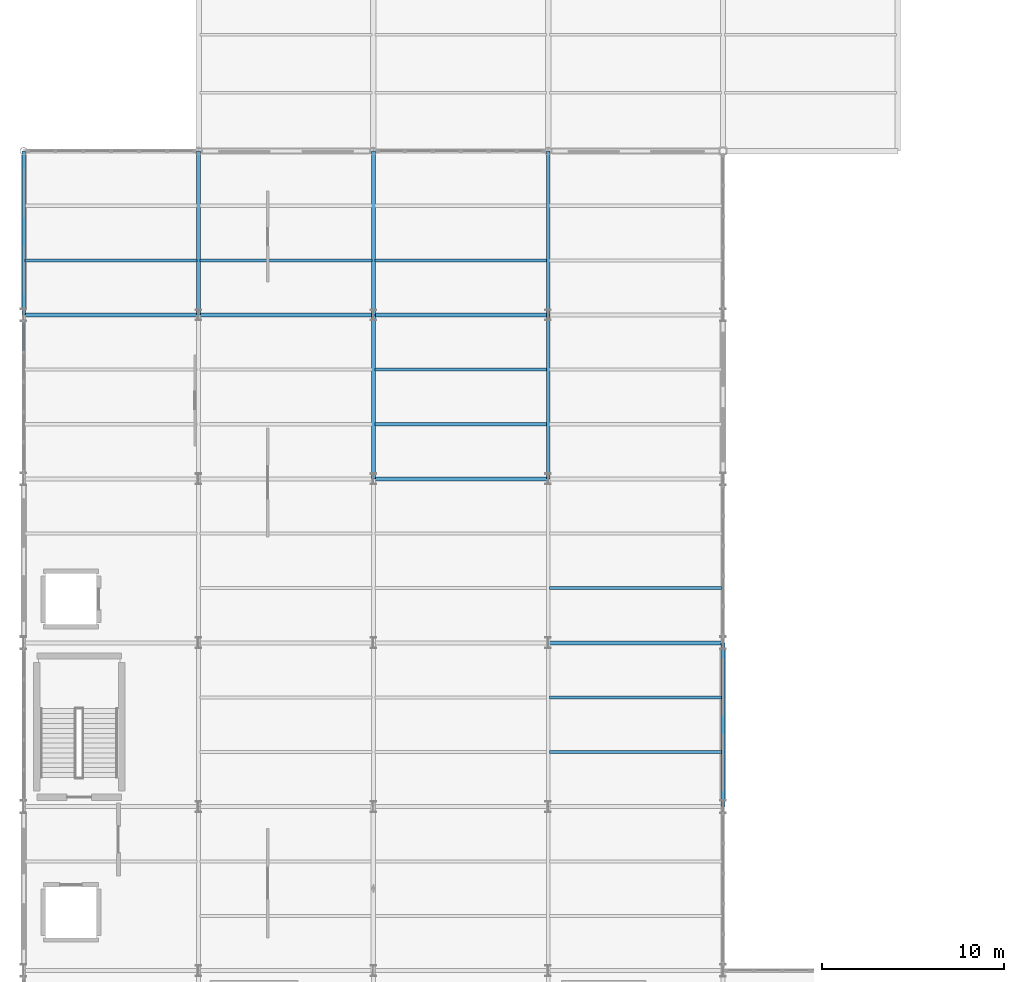
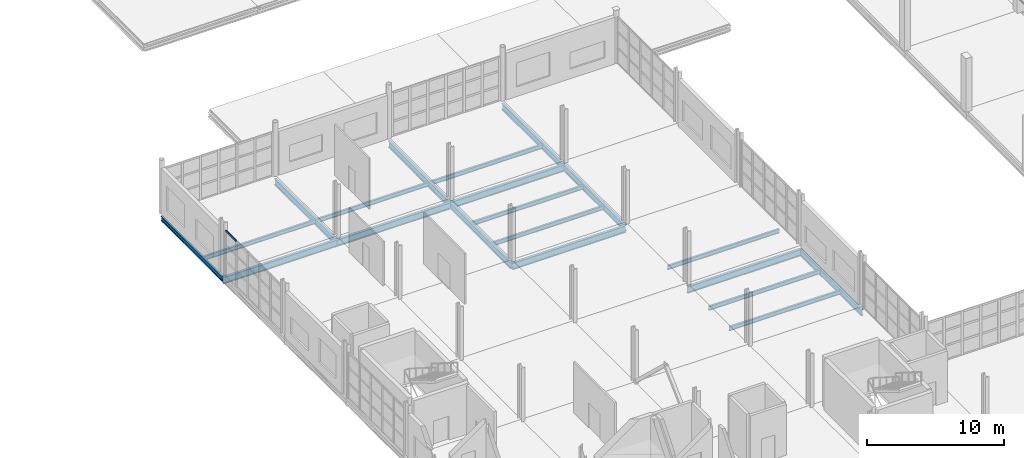
# One storey, part 23 of 120: 20 beams, 1 member, 1 element without a shape of its own.
"""IFC4 building model written with IfcOpenShell, lengths in metres."""

from ifc_helpers import new_model, si_unit, direction, frame, origin, origin_2d, place, context, subcontext, project, spatial, rectangle, i_section, extrude, material, layer, layer_set, material_profile, profile_set, type_object, element, aggregate, save


model = new_model("IFC4")

# Units and contexts
model_context = context("Model", 3, precision=1e-05, world=origin(), true_north=direction((0.0, 1.0)))
body_context = subcontext(model_context, "Body", "Model", "MODEL_VIEW")
ifc_project = project(units=[si_unit("LENGTHUNIT", "METRE"), si_unit("AREAUNIT", "SQUARE_METRE"), si_unit("VOLUMEUNIT", "CUBIC_METRE"), si_unit("PLANEANGLEUNIT", "RADIAN"), si_unit("MASSUNIT", "GRAM", prefix="KILO")], contexts=[model_context])

# Site, building, storey
site_placement = place(None, origin())
site = spatial("IfcSite", under=ifc_project, at=site_placement, CompositionType="ELEMENT")
building_placement = place(site_placement, origin())
building = spatial("IfcBuilding", under=site, at=building_placement, Name="Zarnetskaya Central Station", CompositionType="ELEMENT")
storey_placement = place(building_placement, frame((0.0, 0.0, 5.39990234375)))
storey = spatial("IfcBuildingStorey", under=building, at=storey_placement, Name="L01", CompositionType="ELEMENT", Elevation=5.39990234375)

# Beams
ifc_material_1 = material(Name="Steel S355", Category="steel")
ifc_material_profile_1 = material_profile(ifc_material_1, i_section(OverallWidth=0.169921875, OverallDepth=0.360107421875, WebThickness=0.008056640625, FlangeThickness=0.0126953125, FilletRadius=0.01806640625, at=origin_2d()), Name="IPE 360")
ifc_profile_set_1 = profile_set([ifc_material_profile_1], Name="Steel S355")
beam_type_1 = type_object("IfcBeamType", Name="BM-SEC-360", PredefinedType="BEAM", material=ifc_profile_set_1)
beam_1_placement = place(storey_placement, frame((0.080078125, 61.199951171875, -0.4599609375), z_axis=(1.0, 0.0, 0.0), x_axis=(0.0, 1.0, 0.0)))
element("IfcBeam", 1, at=beam_1_placement, inside=storey, type_object=beam_type_1, Name="Secondary floor beam SEC-L01-Z512-AB-89-1", PredefinedType="BEAM", context=body_context, shape_type="SweptSolid", body=[
    extrude(i_section(OverallWidth=0.169921875, OverallDepth=0.360107421875, WebThickness=0.008056640625, FlangeThickness=0.0126953125, FilletRadius=0.01806640625, at=origin_2d()), origin(), (0.0, 0.0, 1.0), 9.43994140625),
])
beam_2_placement = place(storey_placement, frame((9.679931640625, 61.199951171875, -0.4599609375), z_axis=(1.0, 0.0, 0.0), x_axis=(0.0, 1.0, 0.0)))
element("IfcBeam", 2, at=beam_2_placement, inside=storey, type_object=beam_type_1, Name="Secondary floor beam SEC-L01-Z512-BC-89-1", PredefinedType="BEAM", context=body_context, shape_type="SweptSolid", body=[
    extrude(i_section(OverallWidth=0.169921875, OverallDepth=0.360107421875, WebThickness=0.008056640625, FlangeThickness=0.0126953125, FilletRadius=0.01806640625, at=origin_2d()), origin(), (0.0, 0.0, 1.0), 9.440185546875),
])
for number, where, z_axis, x_axis, name in (
    (3, (19.280029296875, 52.199951171875, -0.4599609375), (1.0, 0.0, 0.0), (0.0, 1.0, 0.0), "Secondary floor beam SEC-L01-Z512-CD-78-1"),
    (4, (19.280029296875, 55.199951171875, -0.4599609375), (1.0, 0.0, 0.0), (0.0, 1.0, 0.0), "Secondary floor beam SEC-L01-Z512-CD-78-2"),
    (5, (19.280029296875, 61.199951171875, -0.4599609375), (1.0, 0.0, 0.0), (0.0, 1.0, 0.0), "Secondary floor beam SEC-L01-Z512-CD-89-1"),
):
    element("IfcBeam", number, at=place(storey_placement, frame(where, z_axis=z_axis, x_axis=x_axis)), inside=storey, type_object=beam_type_1, Name=name, PredefinedType="BEAM", context=body_context, shape_type="SweptSolid", body=[
        extrude(i_section(OverallWidth=0.169921875, OverallDepth=0.360107421875, WebThickness=0.008056640625, FlangeThickness=0.0126953125, FilletRadius=0.01806640625, at=origin_2d()), origin(), (0.0, 0.0, 1.0), 9.43994140625),
    ])
for number, where, z_axis, x_axis, name in (
    (6, (28.8798828125, 34.199951171875, -0.4599609375), (1.0, 0.0, 0.0), (0.0, 1.0, 0.0), "Secondary floor beam SEC-L01-Z512-DE-56-1"),
    (7, (28.8798828125, 37.199951171875, -0.4599609375), (1.0, 0.0, 0.0), (0.0, 1.0, 0.0), "Secondary floor beam SEC-L01-Z512-DE-56-2"),
    (8, (28.8798828125, 43.199951171875, -0.4599609375), (1.0, 0.0, 0.0), (0.0, 1.0, 0.0), "Secondary floor beam SEC-L01-Z512-DE-67-1"),
):
    element("IfcBeam", number, at=place(storey_placement, frame(where, z_axis=z_axis, x_axis=x_axis)), inside=storey, type_object=beam_type_1, Name=name, PredefinedType="BEAM", context=body_context, shape_type="SweptSolid", body=[
        extrude(i_section(OverallWidth=0.169921875, OverallDepth=0.360107421875, WebThickness=0.008056640625, FlangeThickness=0.0126953125, FilletRadius=0.01806640625, at=origin_2d()), origin(), (0.0, 0.0, 1.0), 9.440185546875),
    ])
ifc_material_profile_2 = material_profile(ifc_material_1, i_section(OverallWidth=0.179931640625, OverallDepth=0.39990234375, WebThickness=0.008544921875, FlangeThickness=0.013427734375, FilletRadius=0.02099609375, at=origin_2d()), Name="IPE 400")
ifc_profile_set_2 = profile_set([ifc_material_profile_2], Name="Steel S355")
beam_type_2 = type_object("IfcBeamType", Name="BM-SPN-V5", PredefinedType="SPANDREL", material=ifc_profile_set_2)
beam_3_placement = place(storey_placement, frame((0.0, 58.199951171875, -0.47998046875), z_axis=(0.0, 1.0, 0.0), x_axis=(-1.0, 0.0, 0.0)))
element("IfcBeam", 9, at=beam_3_placement, inside=storey, type_object=beam_type_2, Name="Grid girder GY-L01-A-89", PredefinedType="SPANDREL", context=body_context, shape_type="SweptSolid", body=[
    extrude(i_section(OverallWidth=0.179931640625, OverallDepth=0.39990234375, WebThickness=0.008544921875, FlangeThickness=0.013427734375, FilletRadius=0.02099609375, at=origin_2d()), origin(), (0.0, 0.0, 1.0), 9.0),
])

# Curtain wall, member
ifc_material_2 = material(Name="Low-E insulated glass", Category="glass")
ifc_layer = layer(ifc_material_2, 0.172119140625, Name="Low-E insulated glass", Category="glass")
ifc_layer_set = layer_set([ifc_layer], Name="Low-E insulated glass")
curtain_wall_type = type_object("IfcCurtainWallType", Name="CW-SYS-09", PredefinedType="USERDEFINED", material=ifc_layer_set)
curtain_wall_placement = place(storey_placement, origin())
curtain_wall = element("IfcCurtainWall", 10, at=curtain_wall_placement, inside=storey, type_object=curtain_wall_type, Name="Curtain wall CW-L01-004", ObjectType="CURTAIN WALL", PredefinedType="USERDEFINED")
ifc_material_3 = material(Name="Anodised aluminium", Category="aluminium")
ifc_material_profile_3 = material_profile(ifc_material_3, rectangle(XDim=0.080078125, YDim=0.159912109375, at=origin_2d()), Name="ALU TRAN 80x160")
ifc_profile_set_3 = profile_set([ifc_material_profile_3], Name="Anodised aluminium")
member_type = type_object("IfcMemberType", Name="CW-TRAN-160", PredefinedType="USERDEFINED", material=ifc_profile_set_3)
member_placement = place(storey_placement, frame((0.0, 56.22998046875, 4.10009765625), z_axis=(0.0, 1.0, 0.0), x_axis=(-1.0, 0.0, 0.0)))
member = element("IfcMember", 11, at=member_placement, type_object=member_type, Name="CW-07 transom 5.4", ObjectType="TRANSOM", PredefinedType="USERDEFINED", context=body_context, shape_type="SweptSolid", body=[
    extrude(rectangle(XDim=0.080078125, YDim=0.159912109375, at=origin_2d()), origin(), (0.0, 0.0, 1.0), 1.5400390625),
])
aggregate(curtain_wall, [member])

# Beams
ifc_material_profile_4 = material_profile(ifc_material_1, i_section(OverallWidth=0.2099609375, OverallDepth=0.550048828125, WebThickness=0.010986328125, FlangeThickness=0.01708984375, FilletRadius=0.02392578125, at=origin_2d()), Name="IPE 550")
ifc_profile_set_4 = profile_set([ifc_material_profile_4], Name="Steel S355")
beam_type_3 = type_object("IfcBeamType", Name="GD-FLR-550", PredefinedType="USERDEFINED", material=ifc_profile_set_4)
for number, where, z_axis, x_axis, name in (
    (12, (9.60009765625, 58.199951171875, -0.554931640625), (0.0, 1.0, 0.0), (-1.0, 0.0, 0.0), "Grid girder GY-L01-B-89"),
    (13, (19.199951171875, 49.199951171875, -0.554931640625), (0.0, 1.0, 0.0), (-1.0, 0.0, 0.0), "Grid girder GY-L01-C-78"),
    (14, (19.199951171875, 58.199951171875, -0.554931640625), (0.0, 1.0, 0.0), (-1.0, 0.0, 0.0), "Grid girder GY-L01-C-89"),
    (15, (28.800048828125, 49.199951171875, -0.554931640625), (0.0, 1.0, 0.0), (-1.0, 0.0, 0.0), "Grid girder GY-L01-D-78"),
    (16, (28.800048828125, 58.199951171875, -0.554931640625), (0.0, 1.0, 0.0), (-1.0, 0.0, 0.0), "Grid girder GY-L01-D-89"),
    (17, (38.39990234375, 31.199951171875, -0.554931640625), (0.0, 1.0, 0.0), (-1.0, 0.0, 0.0), "Grid girder GY-L01-E-56"),
):
    element("IfcBeam", number, at=place(storey_placement, frame(where, z_axis=z_axis, x_axis=x_axis)), inside=storey, type_object=beam_type_3, Name=name, ObjectType="GIRDER", PredefinedType="USERDEFINED", context=body_context, shape_type="SweptSolid", body=[
        extrude(i_section(OverallWidth=0.2099609375, OverallDepth=0.550048828125, WebThickness=0.010986328125, FlangeThickness=0.01708984375, FilletRadius=0.02392578125, at=origin_2d()), origin(), (0.0, 0.0, 1.0), 9.0),
    ])
ifc_material_profile_5 = material_profile(ifc_material_1, i_section(OverallWidth=0.219970703125, OverallDepth=0.60009765625, WebThickness=0.011962890625, FlangeThickness=0.01904296875, FilletRadius=0.02392578125, at=origin_2d()), Name="IPE 600")
ifc_profile_set_5 = profile_set([ifc_material_profile_5], Name="Steel S355")
beam_type_4 = type_object("IfcBeamType", Name="GD-FLR-600", PredefinedType="USERDEFINED", material=ifc_profile_set_5)
beam_4_placement = place(storey_placement, frame((0.0, 58.199951171875, -0.579833984375), z_axis=(1.0, 0.0, 0.0), x_axis=(0.0, 1.0, 0.0)))
element("IfcBeam", 18, at=beam_4_placement, inside=storey, type_object=beam_type_4, Name="Grid girder GX-L01-8-AB", ObjectType="GIRDER", PredefinedType="USERDEFINED", context=body_context, shape_type="SweptSolid", body=[
    extrude(i_section(OverallWidth=0.219970703125, OverallDepth=0.60009765625, WebThickness=0.011962890625, FlangeThickness=0.01904296875, FilletRadius=0.02392578125, at=origin_2d()), origin(), (0.0, 0.0, 1.0), 9.60009765625),
])
beam_5_placement = place(storey_placement, frame((9.60009765625, 58.199951171875, -0.579833984375), z_axis=(1.0, 0.0, 0.0), x_axis=(0.0, 1.0, 0.0)))
element("IfcBeam", 19, at=beam_5_placement, inside=storey, type_object=beam_type_4, Name="Grid girder GX-L01-8-BC", ObjectType="GIRDER", PredefinedType="USERDEFINED", context=body_context, shape_type="SweptSolid", body=[
    extrude(i_section(OverallWidth=0.219970703125, OverallDepth=0.60009765625, WebThickness=0.011962890625, FlangeThickness=0.01904296875, FilletRadius=0.02392578125, at=origin_2d()), origin(), (0.0, 0.0, 1.0), 9.599853515625),
])
for number, where, z_axis, x_axis, name in (
    (20, (19.199951171875, 49.199951171875, -0.579833984375), (1.0, 0.0, 0.0), (0.0, 1.0, 0.0), "Grid girder GX-L01-7-CD"),
    (21, (19.199951171875, 58.199951171875, -0.579833984375), (1.0, 0.0, 0.0), (0.0, 1.0, 0.0), "Grid girder GX-L01-8-CD"),
):
    element("IfcBeam", number, at=place(storey_placement, frame(where, z_axis=z_axis, x_axis=x_axis)), inside=storey, type_object=beam_type_4, Name=name, ObjectType="GIRDER", PredefinedType="USERDEFINED", context=body_context, shape_type="SweptSolid", body=[
        extrude(i_section(OverallWidth=0.219970703125, OverallDepth=0.60009765625, WebThickness=0.011962890625, FlangeThickness=0.01904296875, FilletRadius=0.02392578125, at=origin_2d()), origin(), (0.0, 0.0, 1.0), 9.60009765625),
    ])
beam_6_placement = place(storey_placement, frame((28.800048828125, 40.199951171875, -0.579833984375), z_axis=(1.0, 0.0, 0.0), x_axis=(0.0, 1.0, 0.0)))
element("IfcBeam", 22, at=beam_6_placement, inside=storey, type_object=beam_type_4, Name="Grid girder GX-L01-6-DE", ObjectType="GIRDER", PredefinedType="USERDEFINED", context=body_context, shape_type="SweptSolid", body=[
    extrude(i_section(OverallWidth=0.219970703125, OverallDepth=0.60009765625, WebThickness=0.011962890625, FlangeThickness=0.01904296875, FilletRadius=0.02392578125, at=origin_2d()), origin(), (0.0, 0.0, 1.0), 9.599853515625),
])

save(model, "model.ifc")
